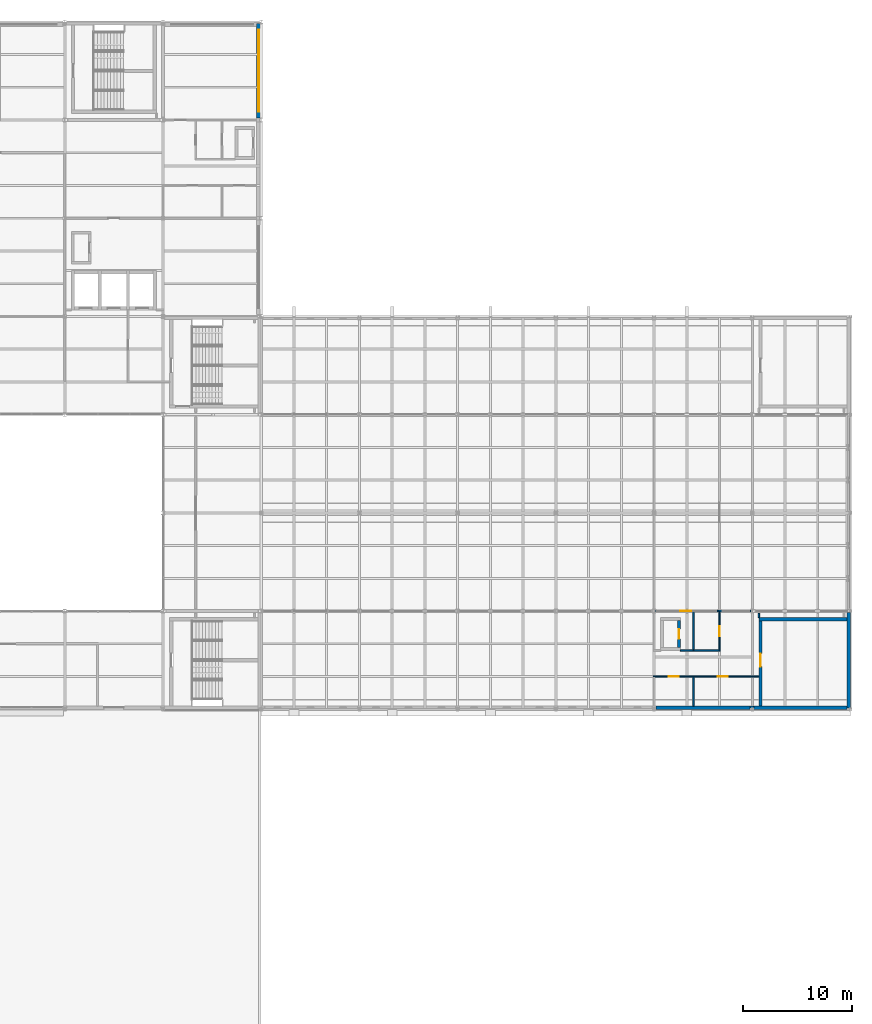
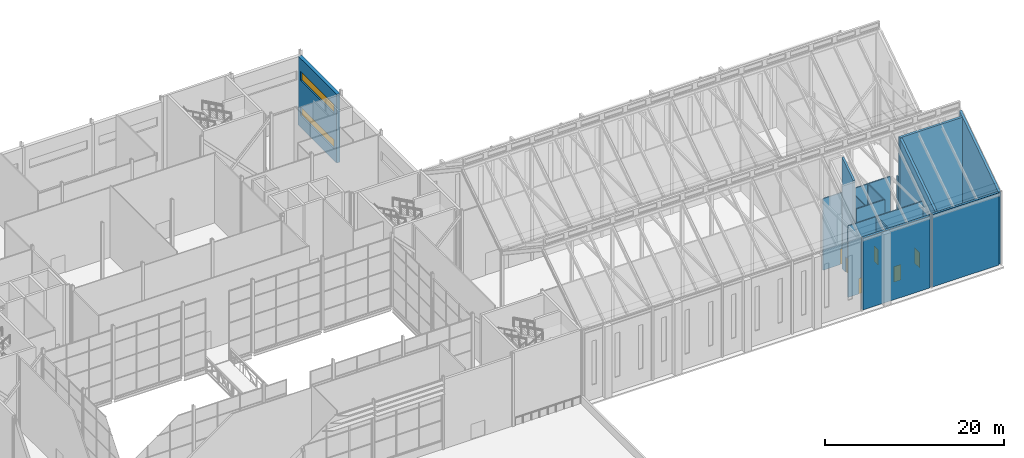
# One storey, part 95 of 111: 16 walls, 6 doors, 2 windows, 8 openings.
"""IFC4 building model written with IfcOpenShell, lengths in metres."""

from ifc_helpers import new_model, si_unit, direction, frame, frame_2d, origin, place, context, subcontext, project, spatial, polyline, rectangle, outline, extrude, material, layer, layer_set, type_object, element, fill, save


model = new_model("IFC4")

# Units and contexts
model_context = context("Model", 3, precision=1e-05, world=origin(), true_north=direction((0.0, 1.0)))
body_context = subcontext(model_context, "Body", "Model", "MODEL_VIEW")
ifc_project = project(units=[si_unit("LENGTHUNIT", "METRE"), si_unit("AREAUNIT", "SQUARE_METRE"), si_unit("VOLUMEUNIT", "CUBIC_METRE"), si_unit("PLANEANGLEUNIT", "RADIAN"), si_unit("MASSUNIT", "GRAM", prefix="KILO")], contexts=[model_context])

# Site, building, storey
site_placement = place(None, origin())
site = spatial("IfcSite", under=ifc_project, at=site_placement, CompositionType="ELEMENT")
building_placement = place(site_placement, origin())
building = spatial("IfcBuilding", under=site, at=building_placement, Name="Shorebreak Coast Museum", CompositionType="ELEMENT")
storey_placement = place(building_placement, frame((0.0, 0.0, 16.0)))
storey = spatial("IfcBuildingStorey", under=building, at=storey_placement, Name="L03", CompositionType="ELEMENT", Elevation=16.0)

# Wall
ifc_material_1 = material(Name="Concrete N50 (50 MPa)", Category="concrete")
ifc_layer_1 = layer(ifc_material_1, 0.175048828125)
ifc_layer_set_1 = layer_set([ifc_layer_1], Name="Concrete N50 (50 MPa)")
wall_type_1 = type_object("IfcWallType", Name="Column closure panel 175", PredefinedType="SOLIDWALL", material=ifc_layer_set_1)
wall_1_placement = place(storey_placement, frame((161.802978515625, 54.21240234375, 0.0), z_axis=(0.0, 0.0, 1.0), x_axis=(1.0, 0.0, 0.0)))
element("IfcWall", 1, at=wall_1_placement, inside=storey, type_object=wall_type_1, Name="Column closure panel L03 S 19G", PredefinedType="SOLIDWALL", context=body_context, shape_type="SweptSolid", body=[
    extrude(rectangle(XDim=0.322021484375, YDim=0.175048828125, at=frame_2d((0.1611328125, 0.0))), origin(), (0.0, 0.0, 1.0), 9.859619140625),
])

# Wall, openings, windows
ifc_material_2 = material(Name="Concrete N50 (50 MPa)", Category="concrete")
ifc_layer_2 = layer(ifc_material_2, 0.449951171875)
ifc_layer_set_2 = layer_set([ifc_layer_2], Name="Concrete N50 (50 MPa)")
wall_type_2 = type_object("IfcWallType", Name="Deep-set precast panel 450", PredefinedType="SOLIDWALL", material=ifc_layer_set_2)
wall_2_placement = place(storey_placement, frame((116.77490234375, 108.160888671875, 0.0), z_axis=(0.0, 0.0, 1.0), x_axis=(0.0, 1.0, 0.0)))
wall_2 = element("IfcWall", 2, at=wall_2_placement, inside=storey, type_object=wall_type_2, Name="External wall L03 E 14N", PredefinedType="SOLIDWALL", context=body_context, shape_type="SweptSolid", body=[
    extrude(rectangle(XDim=8.675537109375, YDim=0.449951171875, at=frame_2d((4.337890625, 0.0))), origin(), (0.0, 0.0, 1.0), 9.37109375),
])
opening_1_placement = place(wall_2_placement, frame((0.589111328125, 0.0, 6.39990234375)))
opening_1 = element("IfcOpeningElement", 3, at=opening_1_placement, cuts=wall_2, Name="Opening WN3004", PredefinedType="OPENING", context=body_context, shape_type="SweptSolid", body=[
    extrude(rectangle(XDim=7.5, YDim=1.199951171875, at=frame_2d((3.75, 0.60009765625))), frame((0.0, 0.23486328125, 0.0), z_axis=(0.0, -1.0, 0.0), x_axis=(1.0, 0.0, 0.0)), (0.0, 0.0, 1.0), 0.469970703125),
])
opening_2_placement = place(wall_2_placement, frame((0.595947265625, 0.0, 1.60009765625)))
opening_2 = element("IfcOpeningElement", 4, at=opening_2_placement, cuts=wall_2, Name="Opening WN3003", PredefinedType="OPENING", context=body_context, shape_type="SweptSolid", body=[
    extrude(rectangle(XDim=7.5, YDim=1.199951171875, at=frame_2d((3.75, 0.60009765625))), frame((0.0, 0.23486328125, 0.0), z_axis=(0.0, -1.0, 0.0), x_axis=(1.0, 0.0, 0.0)), (0.0, 0.0, 1.0), 0.469970703125),
])
ifc_material_3 = material(Name="Aluminium", Category="aluminium")
window_type_1 = type_object("IfcWindowType", Name="Ribbon window 7500 x 1200", PartitioningType="SINGLE_PANEL", PredefinedType="WINDOW", material=ifc_material_3)
window_1_placement = place(opening_2_placement, origin())
window_1 = element("IfcWindow", 5, at=window_1_placement, inside=storey, type_object=window_type_1, Name="Window WN3003", OverallHeight=1.199951171875, OverallWidth=7.5, PartitioningType="SINGLE_PANEL", PredefinedType="WINDOW", context=body_context, shape_type="SweptSolid", body=[
    extrude(rectangle(XDim=7.5, YDim=1.199951171875, at=frame_2d((3.75, 0.60009765625))), frame((0.0, 0.030029296875, 0.0), z_axis=(0.0, -1.0, 0.0), x_axis=(1.0, 0.0, 0.0)), (0.0, 0.0, 1.0), 0.06005859375),
])
fill(opening_2, window_1)
ifc_material_4 = material(Name="Aluminium", Category="aluminium")
window_type_2 = type_object("IfcWindowType", Name="Upper ribbon window 7500 x 1200", PartitioningType="SINGLE_PANEL", PredefinedType="WINDOW", material=ifc_material_4)
window_2_placement = place(opening_1_placement, origin())
window_2 = element("IfcWindow", 6, at=window_2_placement, inside=storey, type_object=window_type_2, Name="Window WN3004", OverallHeight=1.199951171875, OverallWidth=7.5, PartitioningType="SINGLE_PANEL", PredefinedType="WINDOW", context=body_context, shape_type="SweptSolid", body=[
    extrude(rectangle(XDim=7.5, YDim=1.199951171875, at=frame_2d((3.75, 0.60009765625))), frame((0.0, 0.030029296875, 0.0), z_axis=(0.0, -1.0, 0.0), x_axis=(1.0, 0.0, 0.0)), (0.0, 0.0, 1.0), 0.06005859375),
])
fill(opening_1, window_2)

# Walls
ifc_material_5 = material(Name="Plasterboard on steel stud", Category="steel")
ifc_layer_3 = layer(ifc_material_5, 0.14990234375)
ifc_layer_set_3 = layer_set([ifc_layer_3], Name="Plasterboard on steel stud")
wall_type_3 = type_object("IfcWallType", Name="Fire partition 150", PredefinedType="PARTITIONING", material=ifc_layer_set_3)
wall_3_placement = place(storey_placement, frame((158.925048828125, 63.0, 0.0), z_axis=(0.0, 0.0, 1.0), x_axis=(1.0, 0.0, 0.0)))
element("IfcWall", 7, at=wall_3_placement, inside=storey, type_object=wall_type_3, Name="Partition L03-010", PredefinedType="PARTITIONING", context=body_context, shape_type="SweptSolid", body=[
    extrude(rectangle(XDim=2.92236328125, YDim=0.14990234375, at=frame_2d((1.461181640625, 0.0))), origin(), (0.0, 0.0, 1.0), 9.760009765625),
])
wall_4_placement = place(storey_placement, frame((162.60009765625, 62.39990234375, 0.0), z_axis=(0.0, 0.0, 1.0), x_axis=(0.0, 1.0, 0.0)))
element("IfcWall", 8, at=wall_4_placement, inside=storey, type_object=wall_type_3, Name="Partition L03-085", PredefinedType="PARTITIONING", context=body_context, shape_type="SweptSolid", body=[
    extrude(rectangle(XDim=0.380126953125, YDim=0.14990234375, at=frame_2d((0.18994140625, 0.0))), origin(), (0.0, 0.0, 1.0), 9.760009765625),
])

# Wall, openings, doors
ifc_material_6 = material(Name="Plasterboard on steel stud", Category="steel")
ifc_layer_4 = layer(ifc_material_6, 0.125)
ifc_layer_set_4 = layer_set([ifc_layer_4], Name="Plasterboard on steel stud")
wall_type_4 = type_object("IfcWallType", Name="Partition 125", PredefinedType="PARTITIONING", material=ifc_layer_set_4)
wall_5_placement = place(storey_placement, frame((152.9375, 57.0, 0.0), z_axis=(0.0, 0.0, 1.0), x_axis=(1.0, 0.0, 0.0)))
wall_5 = element("IfcWall", 9, at=wall_5_placement, inside=storey, type_object=wall_type_4, Name="Partition L03-001", PredefinedType="PARTITIONING", context=body_context, shape_type="SweptSolid", body=[
    extrude(rectangle(XDim=9.66259765625, YDim=0.125, at=frame_2d((4.831298828125, 0.0))), origin(), (0.0, 0.0, 1.0), 9.760009765625),
])
opening_3_placement = place(wall_5_placement, frame((1.41259765625, 0.0, 0.0)))
opening_3 = element("IfcOpeningElement", 10, at=opening_3_placement, cuts=wall_5, Name="Opening D3024", PredefinedType="OPENING", context=body_context, shape_type="SweptSolid", body=[
    extrude(rectangle(XDim=0.89990234375, YDim=2.10009765625, at=frame_2d((0.449951171875, 1.050048828125))), frame((0.0, 0.072509765625, 0.0), z_axis=(0.0, -1.0, 0.0), x_axis=(1.0, 0.0, 0.0)), (0.0, 0.0, 1.0), 0.14501953125),
])
opening_4_placement = place(wall_5_placement, frame((5.91259765625, 0.0, 0.0)))
opening_4 = element("IfcOpeningElement", 11, at=opening_4_placement, cuts=wall_5, Name="Opening D3025", PredefinedType="OPENING", context=body_context, shape_type="SweptSolid", body=[
    extrude(rectangle(XDim=0.89990234375, YDim=2.10009765625, at=frame_2d((0.449951171875, 1.050048828125))), frame((0.0, 0.072509765625, 0.0), z_axis=(0.0, -1.0, 0.0), x_axis=(1.0, 0.0, 0.0)), (0.0, 0.0, 1.0), 0.14501953125),
])
ifc_material_7 = material(Name="Timber", Category="wood")
door_type_1 = type_object("IfcDoorType", Name="Interior door 900x2100", OperationType="SINGLE_SWING_LEFT", PredefinedType="DOOR", material=ifc_material_7)
door_1_placement = place(opening_3_placement, origin())
door_1 = element("IfcDoor", 12, at=door_1_placement, inside=storey, type_object=door_type_1, Name="Door D3024 Accessible WC E", OperationType="SINGLE_SWING_RIGHT", OverallHeight=2.10009765625, OverallWidth=0.89990234375, PredefinedType="DOOR", context=body_context, shape_type="SweptSolid", body=[
    extrude(rectangle(XDim=0.89990234375, YDim=2.10009765625, at=frame_2d((0.449951171875, 1.050048828125))), frame((0.0, 0.02490234375, 0.0), z_axis=(0.0, -1.0, 0.0), x_axis=(1.0, 0.0, 0.0)), (0.0, 0.0, 1.0), 0.050048828125),
])
fill(opening_3, door_1)
door_2_placement = place(opening_4_placement, origin())
door_2 = element("IfcDoor", 13, at=door_2_placement, inside=storey, type_object=door_type_1, Name="Door D3025 Male WC E", OperationType="SINGLE_SWING_LEFT", OverallHeight=2.10009765625, OverallWidth=0.89990234375, PredefinedType="DOOR", context=body_context, shape_type="SweptSolid", body=[
    extrude(rectangle(XDim=0.89990234375, YDim=2.10009765625, at=frame_2d((0.449951171875, 1.050048828125))), frame((0.0, 0.02490234375, 0.0), z_axis=(0.0, -1.0, 0.0), x_axis=(1.0, 0.0, 0.0)), (0.0, 0.0, 1.0), 0.050048828125),
])
fill(opening_4, door_2)

# Wall
wall_6_placement = place(storey_placement, frame((155.39990234375, 59.39990234375, 0.0), z_axis=(0.0, 0.0, 1.0), x_axis=(1.0, 0.0, 0.0)))
element("IfcWall", 14, at=wall_6_placement, inside=storey, type_object=wall_type_4, Name="Partition L03-003", PredefinedType="PARTITIONING", context=body_context, shape_type="SweptSolid", body=[
    extrude(rectangle(XDim=3.66259765625, YDim=0.125, at=frame_2d((1.831298828125, 0.0))), origin(), (0.0, 0.0, 1.0), 9.760009765625),
])

# Wall, opening, door
wall_7_placement = place(storey_placement, frame((153.152587890625, 63.0, 0.0), z_axis=(0.0, 0.0, 1.0), x_axis=(1.0, 0.0, 0.0)))
wall_7 = element("IfcWall", 15, at=wall_7_placement, inside=storey, type_object=wall_type_4, Name="Partition L03-009", PredefinedType="PARTITIONING", context=body_context, shape_type="SweptSolid", body=[
    extrude(rectangle(XDim=5.92236328125, YDim=0.125, at=frame_2d((2.961181640625, 0.0))), origin(), (0.0, 0.0, 1.0), 9.760009765625),
])
opening_5_placement = place(wall_7_placement, frame((2.25, 0.0, 0.0)))
opening_5 = element("IfcOpeningElement", 16, at=opening_5_placement, cuts=wall_7, Name="Opening D3022", PredefinedType="OPENING", context=body_context, shape_type="SweptSolid", body=[
    extrude(rectangle(XDim=1.0, YDim=2.10009765625, at=frame_2d((0.5, 1.050048828125))), frame((0.0, 0.072509765625, 0.0), z_axis=(0.0, -1.0, 0.0), x_axis=(1.0, 0.0, 0.0)), (0.0, 0.0, 1.0), 0.14501953125),
])
ifc_material_8 = material(Name="Timber", Category="wood")
door_type_2 = type_object("IfcDoorType", Name="Interior door 1000x2100", OperationType="SINGLE_SWING_LEFT", PredefinedType="DOOR", material=ifc_material_8)
door_3_placement = place(opening_5_placement, origin())
door_3 = element("IfcDoor", 17, at=door_3_placement, inside=storey, type_object=door_type_2, Name="Door D3022 Cleaner Store E", OperationType="SINGLE_SWING_RIGHT", OverallHeight=2.10009765625, OverallWidth=1.0, PredefinedType="DOOR", context=body_context, shape_type="SweptSolid", body=[
    extrude(rectangle(XDim=1.0, YDim=2.10009765625, at=frame_2d((0.5, 1.050048828125))), frame((0.0, 0.02490234375, 0.0), z_axis=(0.0, -1.0, 0.0), x_axis=(1.0, 0.0, 0.0)), (0.0, 0.0, 1.0), 0.050048828125),
])
fill(opening_5, door_3)

# Walls
wall_8_placement = place(storey_placement, frame((156.60009765625, 54.300048828125, 0.0), z_axis=(0.0, 0.0, 1.0), x_axis=(0.0, 1.0, 0.0)))
element("IfcWall", 18, at=wall_8_placement, inside=storey, type_object=wall_type_4, Name="Partition L03-081", PredefinedType="PARTITIONING", context=body_context, shape_type="SweptSolid", body=[
    extrude(rectangle(XDim=2.637451171875, YDim=0.125, at=frame_2d((1.31884765625, 0.0))), origin(), (0.0, 0.0, 1.0), 9.760009765625),
])
wall_9_placement = place(storey_placement, frame((156.60009765625, 59.46240234375, 0.0), z_axis=(0.0, 0.0, 1.0), x_axis=(0.0, 1.0, 0.0)))
element("IfcWall", 19, at=wall_9_placement, inside=storey, type_object=wall_type_4, Name="Partition L03-082", PredefinedType="PARTITIONING", context=body_context, shape_type="SweptSolid", body=[
    extrude(rectangle(XDim=3.47509765625, YDim=0.125, at=frame_2d((1.737548828125, 0.0))), origin(), (0.0, 0.0, 1.0), 9.760009765625),
])

# Wall, opening, door
wall_10_placement = place(storey_placement, frame((159.0, 59.46240234375, 0.0), z_axis=(0.0, 0.0, 1.0), x_axis=(0.0, 1.0, 0.0)))
wall_10 = element("IfcWall", 20, at=wall_10_placement, inside=storey, type_object=wall_type_4, Name="Partition L03-083", PredefinedType="PARTITIONING", context=body_context, shape_type="SweptSolid", body=[
    extrude(rectangle(XDim=3.462646484375, YDim=0.125, at=frame_2d((1.7314453125, 0.0))), origin(), (0.0, 0.0, 1.0), 9.760009765625),
])
opening_6_placement = place(wall_10_placement, frame((1.25, 0.0, 0.0)))
opening_6 = element("IfcOpeningElement", 21, at=opening_6_placement, cuts=wall_10, Name="Opening D3023", PredefinedType="OPENING", context=body_context, shape_type="SweptSolid", body=[
    extrude(rectangle(XDim=0.89990234375, YDim=2.10009765625, at=frame_2d((0.449951171875, 1.050048828125))), frame((0.0, 0.072509765625, 0.0), z_axis=(0.0, -1.0, 0.0), x_axis=(1.0, 0.0, 0.0)), (0.0, 0.0, 1.0), 0.14501953125),
])
door_4_placement = place(opening_6_placement, origin())
door_4 = element("IfcDoor", 22, at=door_4_placement, inside=storey, type_object=door_type_1, Name="Door D3023 Female WC E", OperationType="SINGLE_SWING_RIGHT", OverallHeight=2.10009765625, OverallWidth=0.89990234375, PredefinedType="DOOR", context=body_context, shape_type="SweptSolid", body=[
    extrude(rectangle(XDim=0.89990234375, YDim=2.10009765625, at=frame_2d((0.449951171875, 1.050048828125))), frame((0.0, 0.02490234375, 0.0), z_axis=(0.0, -1.0, 0.0), x_axis=(1.0, 0.0, 0.0)), (0.0, 0.0, 1.0), 0.050048828125),
])
fill(opening_6, door_4)

# Wall
ifc_material_9 = material(Name="Concrete N50 (50 MPa)", Category="concrete")
ifc_layer_5 = layer(ifc_material_9, 0.300048828125)
ifc_layer_set_5 = layer_set([ifc_layer_5], Name="Concrete N50 (50 MPa)")
wall_type_5 = type_object("IfcWallType", Name="Precast board-marked panel 300", PredefinedType="SOLIDWALL", material=ifc_layer_set_5)
wall_11_placement = place(storey_placement, frame((153.160888671875, 54.14990234375, 0.0), z_axis=(0.0, 0.0, 1.0), x_axis=(1.0, 0.0, 0.0)))
element("IfcWall", 23, at=wall_11_placement, inside=storey, type_object=wall_type_5, Name="External wall L03 S 18G", PredefinedType="SOLIDWALL", context=body_context, shape_type="SweptSolid", body=[
    extrude(rectangle(XDim=8.64208984375, YDim=0.300048828125, at=frame_2d((4.321044921875, 0.0))), origin(), (0.0, 0.0, 1.0), 9.800048828125),
])

# Wall, opening, door
ifc_material_10 = material(Name="Concrete N50 (50 MPa)", Category="concrete")
ifc_layer_6 = layer(ifc_material_10, 0.25)
ifc_layer_set_6 = layer_set([ifc_layer_6], Name="Concrete N50 (50 MPa)")
wall_type_6 = type_object("IfcWallType", Name="RC riser wall 250", PredefinedType="STANDARD", material=ifc_layer_set_6)
wall_12_placement = place(storey_placement, frame((155.27490234375, 59.64990234375, 0.0), z_axis=(0.0, 0.0, 1.0), x_axis=(0.0, 1.0, 0.0)))
wall_12 = element("IfcWall", 24, at=wall_12_placement, inside=storey, type_object=wall_type_6, Name="Riser wall R-WC-E L03 E", PredefinedType="STANDARD", context=body_context, shape_type="SweptSolid", body=[
    extrude(outline(polyline([(0.0, 0.0), (2.5, 0.0), (2.5, 15.193115234375), (0.0, 13.5263671875), (0.0, 0.0)])), frame((0.0, 0.125, 0.0), z_axis=(0.0, -1.0, 0.0), x_axis=(1.0, 0.0, 0.0)), (0.0, 0.0, 1.0), 0.25),
])
opening_7_placement = place(wall_12_placement, frame((0.800048828125, 0.0, 0.0)))
opening_7 = element("IfcOpeningElement", 25, at=opening_7_placement, cuts=wall_12, Name="Opening D3604", PredefinedType="OPENING", context=body_context, shape_type="SweptSolid", body=[
    extrude(rectangle(XDim=0.89990234375, YDim=2.10009765625, at=frame_2d((0.449951171875, 1.050048828125))), frame((0.0, 0.135009765625, 0.0), z_axis=(0.0, -1.0, 0.0), x_axis=(1.0, 0.0, 0.0)), (0.0, 0.0, 1.0), 0.27001953125),
])
ifc_material_11 = material(Name="Steel Grade 300", Category="steel")
door_type_3 = type_object("IfcDoorType", Name="Riser door 900x2100", OperationType="SINGLE_SWING_LEFT", PredefinedType="DOOR", material=ifc_material_11)
door_5_placement = place(opening_7_placement, origin())
door_5 = element("IfcDoor", 26, at=door_5_placement, inside=storey, type_object=door_type_3, Name="Riser door R-WC-E L03", OperationType="SINGLE_SWING_RIGHT", OverallHeight=2.10009765625, OverallWidth=0.89990234375, PredefinedType="DOOR", context=body_context, shape_type="SweptSolid", body=[
    extrude(rectangle(XDim=0.89990234375, YDim=2.10009765625, at=frame_2d((0.449951171875, 1.050048828125))), frame((0.0, 0.02490234375, 0.0), z_axis=(0.0, -1.0, 0.0), x_axis=(1.0, 0.0, 0.0)), (0.0, 0.0, 1.0), 0.050048828125),
])
fill(opening_7, door_5)

# Walls
ifc_material_12 = material(Name="Concrete N50 (50 MPa)", Category="concrete")
ifc_layer_7 = layer(ifc_material_12, 0.300048828125)
ifc_layer_set_7 = layer_set([ifc_layer_7], Name="Concrete N50 (50 MPa)")
wall_type_7 = type_object("IfcWallType", Name="RC wall 300", PredefinedType="SHEAR", material=ifc_layer_set_7)
wall_13_placement = place(storey_placement, frame((162.125, 54.14990234375, 0.0), z_axis=(0.0, 0.0, 1.0), x_axis=(1.0, 0.0, 0.0)))
element("IfcWall", 27, at=wall_13_placement, inside=storey, type_object=wall_type_7, Name="Stair core wall ST07 L03 S", PredefinedType="SHEAR", context=body_context, shape_type="SweptSolid", body=[
    extrude(rectangle(XDim=8.574951171875, YDim=0.300048828125, at=frame_2d((4.28759765625, 0.0))), origin(), (0.0, 0.0, 1.0), 9.859619140625),
])
wall_14_placement = place(storey_placement, frame((162.60009765625, 62.25, 0.0), z_axis=(0.0, 0.0, 1.0), x_axis=(1.0, 0.0, 0.0)))
element("IfcWall", 28, at=wall_14_placement, inside=storey, type_object=wall_type_7, Name="Stair core wall ST07 L03 N", PredefinedType="SHEAR", context=body_context, shape_type="SweptSolid", body=[
    extrude(rectangle(XDim=8.099853515625, YDim=0.300048828125, at=frame_2d((4.0498046875, 0.0))), origin(), (0.0, 0.0, 1.0), 15.259521484375),
])

# Wall, opening, door
wall_15_placement = place(storey_placement, frame((162.75, 54.300048828125, 0.0), z_axis=(0.0, 0.0, 1.0), x_axis=(0.0, 1.0, 0.0)))
wall_15 = element("IfcWall", 29, at=wall_15_placement, inside=storey, type_object=wall_type_7, Name="Stair core wall ST07 L03 W", PredefinedType="SHEAR", context=body_context, shape_type="SweptSolid", body=[
    extrude(outline(polyline([(0.0, 0.0), (7.800048828125, 0.0), (7.800048828125, 15.15966796875), (0.0, 9.959716796875), (0.0, 0.0)])), frame((0.0, 0.14990234375, 0.0), z_axis=(0.0, -1.0, 0.0), x_axis=(1.0, 0.0, 0.0)), (0.0, 0.0, 1.0), 0.300048828125),
])
opening_8_placement = place(wall_15_placement, frame((3.60009765625, 0.0, 0.0)))
opening_8 = element("IfcOpeningElement", 30, at=opening_8_placement, cuts=wall_15, Name="Opening D3807", PredefinedType="OPENING", context=body_context, shape_type="SweptSolid", body=[
    extrude(rectangle(XDim=1.199951171875, YDim=2.10009765625, at=frame_2d((0.60009765625, 1.050048828125))), frame((0.0, 0.159912109375, 0.0), z_axis=(0.0, -1.0, 0.0), x_axis=(1.0, 0.0, 0.0)), (0.0, 0.0, 1.0), 0.320068359375),
])
ifc_material_13 = material(Name="Steel Grade 300", Category="steel")
door_type_4 = type_object("IfcDoorType", Name="Fire door 1200x2100", OperationType="SINGLE_SWING_LEFT", PredefinedType="DOOR", material=ifc_material_13)
door_6_placement = place(opening_8_placement, origin())
door_6 = element("IfcDoor", 31, at=door_6_placement, inside=storey, type_object=door_type_4, Name="Stair door ST07 L03", OperationType="SINGLE_SWING_RIGHT", OverallHeight=2.10009765625, OverallWidth=1.199951171875, PredefinedType="DOOR", context=body_context, shape_type="SweptSolid", body=[
    extrude(rectangle(XDim=1.199951171875, YDim=2.10009765625, at=frame_2d((0.60009765625, 1.050048828125))), frame((0.0, 0.02490234375, 0.0), z_axis=(0.0, -1.0, 0.0), x_axis=(1.0, 0.0, 0.0)), (0.0, 0.0, 1.0), 0.050048828125),
])
fill(opening_8, door_6)

# Wall
wall_16_placement = place(storey_placement, frame((170.85009765625, 54.125, 0.0), z_axis=(0.0, 0.0, 1.0), x_axis=(0.0, 1.0, 0.0)))
element("IfcWall", 32, at=wall_16_placement, inside=storey, type_object=wall_type_7, Name="Stair core wall ST07 L03 E", PredefinedType="SHEAR", context=body_context, shape_type="SweptSolid", body=[
    extrude(outline(polyline([(0.0, 0.0), (8.75, 0.0), (8.75, 15.67626953125), (0.0, 9.843017578125), (0.0, 0.0)])), frame((0.0, 0.14990234375, 0.0), z_axis=(0.0, -1.0, 0.0), x_axis=(1.0, 0.0, 0.0)), (0.0, 0.0, 1.0), 0.300048828125),
])

save(model, "model.ifc")
